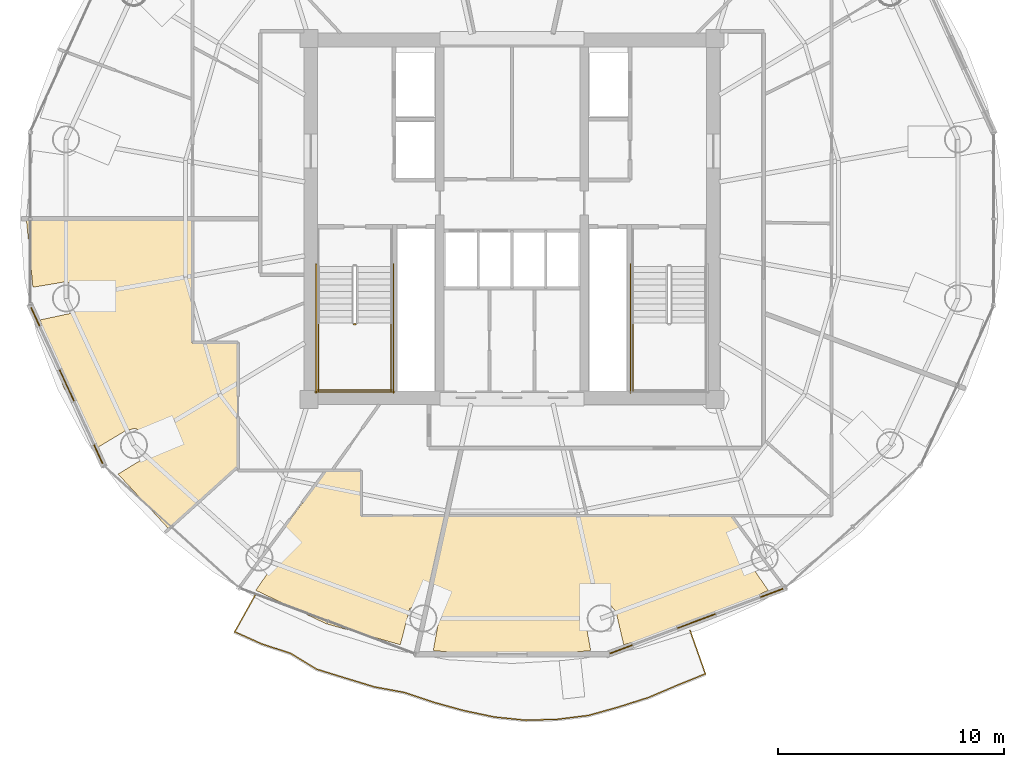
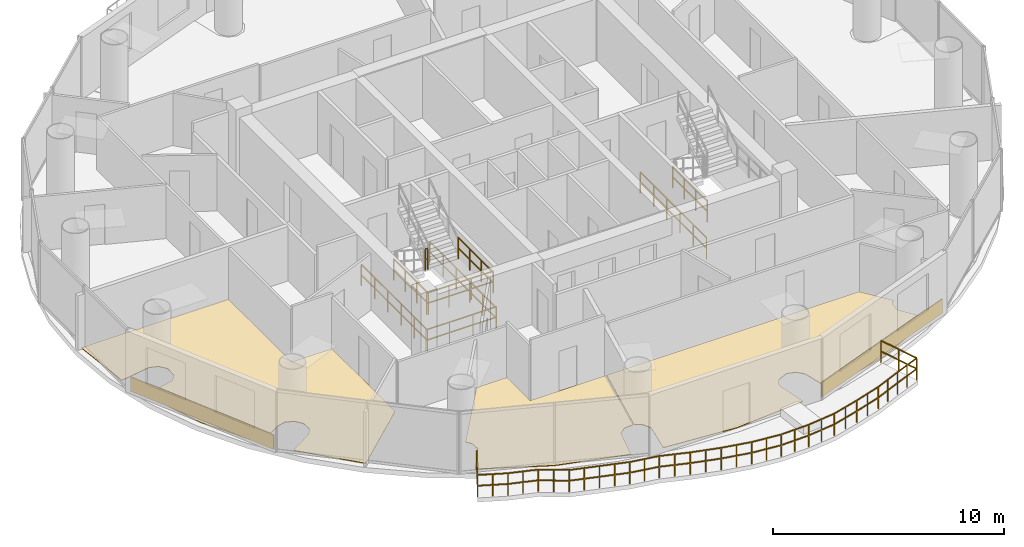
# One storey, part 24 of 26: 10 railings, 5 coverings.
"""IFC4 building model written with IfcOpenShell, lengths in metres."""

from ifc_helpers import new_model, si_unit, direction, frame, origin, origin_2d, place, context, subcontext, project, spatial, polyline, rectangle, outline, extrude, source, transform, mapped, material, layer, layer_set, type_object, element, save


model = new_model("IFC4")

# Units and contexts
model_context = context("Model", 3, precision=1e-05, world=origin(), true_north=direction((-0.2419218956, 0.970295726276)))
body_context = subcontext(model_context, "Body", "Model", "MODEL_VIEW")
ifc_project = project(units=[si_unit("LENGTHUNIT", "METRE"), si_unit("AREAUNIT", "SQUARE_METRE"), si_unit("VOLUMEUNIT", "CUBIC_METRE"), si_unit("PLANEANGLEUNIT", "RADIAN"), si_unit("MASSUNIT", "GRAM", prefix="KILO")], contexts=[model_context])

# Site, building, storey
site_placement = place(None, origin())
site = spatial("IfcSite", under=ifc_project, at=site_placement, CompositionType="ELEMENT")
building_placement = place(site_placement, origin())
building = spatial("IfcBuilding", under=site, at=building_placement, Name="Cobrevalo Terracotta Tower", CompositionType="ELEMENT")
storey_placement = place(building_placement, frame((0.0, 0.0, 239.300048828125)))
storey = spatial("IfcBuildingStorey", under=building, at=storey_placement, Name="L63", CompositionType="ELEMENT", Elevation=239.300048828125)

# Railing
ifc_material_1 = material(Name="Laminated structural glass and stainless steel", Category="steel")
railing_type_1 = type_object("IfcRailingType", Name="Balcony lobe structural glass & terracotta-cap balustrade 1180 mm", PredefinedType="BALUSTRADE", material=ifc_material_1)
railing_1_placement = place(storey_placement, frame((26.622802734375, 10.132568359375, 0.0)))
element("IfcRailing", 1, at=railing_1_placement, inside=storey, type_object=railing_type_1, Name="L63 spiralling balcony lobe balustrade 2", PredefinedType="BALUSTRADE", context=body_context, shape_type="SweptSolid", body=[
    extrude(rectangle(XDim=0.048095703125, YDim=0.048095703125, at=origin_2d()), frame((0.0, 0.0, 1.15576171875), z_axis=(-0.48718530542, -0.873298619135, 0.0), x_axis=(0.873298619135, -0.48718530542, 0.0)), (0.0, 0.0, 1.0), 1.8671875),
    extrude(rectangle(XDim=0.048095703125, YDim=0.048095703125, at=origin_2d()), frame((0.0, 0.0, 0.58984375), z_axis=(-0.48718530542, -0.873298619135, 0.0), x_axis=(0.873298619135, -0.48718530542, 0.0)), (0.0, 0.0, 1.0), 1.8671875),
    extrude(rectangle(XDim=0.048095703125, YDim=0.048095703125, at=origin_2d()), frame((-0.90966796875, -1.630615234375, 1.15576171875), z_axis=(0.913172173043, -0.407574020737, 0.0), x_axis=(0.407574020737, 0.913172173043, 0.0)), (0.0, 0.0, 1.0), 1.324951171875),
    extrude(rectangle(XDim=0.048095703125, YDim=0.048095703125, at=origin_2d()), frame((-0.90966796875, -1.630615234375, 0.58984375), z_axis=(0.913172173043, -0.407574020737, 0.0), x_axis=(0.407574020737, 0.913172173043, 0.0)), (0.0, 0.0, 1.0), 1.324951171875),
    extrude(rectangle(XDim=0.048095703125, YDim=0.048095703125, at=origin_2d()), frame((0.30029296875, -2.170654296875, 1.15576171875), z_axis=(0.95066058227, -0.310232908181, 0.0), x_axis=(0.310232908181, 0.95066058227, 0.0)), (0.0, 0.0, 1.0), 1.3330078125),
    extrude(rectangle(XDim=0.048095703125, YDim=0.048095703125, at=origin_2d()), frame((0.30029296875, -2.170654296875, 0.58984375), z_axis=(0.95066058227, -0.310232908181, 0.0), x_axis=(0.310232908181, 0.95066058227, 0.0)), (0.0, 0.0, 1.0), 1.3330078125),
    extrude(rectangle(XDim=0.048095703125, YDim=0.048095703125, at=origin_2d()), frame((1.567626953125, -2.584228515625, 1.15576171875), z_axis=(0.853841365729, -0.520533305534, 0.0), x_axis=(0.520533305534, 0.853841365729, 0.0)), (0.0, 0.0, 1.0), 1.346923828125),
    extrude(rectangle(XDim=0.048095703125, YDim=0.048095703125, at=origin_2d()), frame((1.567626953125, -2.584228515625, 0.58984375), z_axis=(0.853841365729, -0.520533305534, 0.0), x_axis=(0.520533305534, 0.853841365729, 0.0)), (0.0, 0.0, 1.0), 1.346923828125),
    extrude(rectangle(XDim=0.048095703125, YDim=0.048095703125, at=origin_2d()), frame((2.7177734375, -3.285400390625, 1.15576171875), z_axis=(0.955625446673, -0.294584462712, 0.0), x_axis=(0.294584462712, 0.955625446673, 0.0)), (0.0, 0.0, 1.0), 1.341796875),
    extrude(rectangle(XDim=0.048095703125, YDim=0.048095703125, at=origin_2d()), frame((2.7177734375, -3.285400390625, 0.58984375), z_axis=(0.955625446673, -0.294584462712, 0.0), x_axis=(0.294584462712, 0.955625446673, 0.0)), (0.0, 0.0, 1.0), 1.341796875),
    extrude(rectangle(XDim=0.048095703125, YDim=0.048095703125, at=origin_2d()), frame((4.0, -3.6806640625, 1.15576171875), z_axis=(0.956742206521, -0.290937021127, 0.0), x_axis=(0.290937021127, 0.956742206521, 0.0)), (0.0, 0.0, 1.0), 1.341064453125),
    extrude(rectangle(XDim=0.048095703125, YDim=0.048095703125, at=origin_2d()), frame((4.0, -3.6806640625, 0.58984375), z_axis=(0.956742206521, -0.290937021127, 0.0), x_axis=(0.290937021127, 0.956742206521, 0.0)), (0.0, 0.0, 1.0), 1.341064453125),
    extrude(rectangle(XDim=0.048095703125, YDim=0.048095703125, at=origin_2d()), frame((5.282958984375, -4.07080078125, 1.15576171875), z_axis=(0.983217066884, -0.182439577364, 0.0), x_axis=(0.182439577364, 0.983217066884, 0.0)), (0.0, 0.0, 1.0), 1.34765625),
    extrude(rectangle(XDim=0.048095703125, YDim=0.048095703125, at=origin_2d()), frame((5.282958984375, -4.07080078125, 0.58984375), z_axis=(0.983217066884, -0.182439577364, 0.0), x_axis=(0.182439577364, 0.983217066884, 0.0)), (0.0, 0.0, 1.0), 1.34765625),
    extrude(rectangle(XDim=0.048095703125, YDim=0.048095703125, at=origin_2d()), frame((6.60791015625, -4.316650390625, 1.15576171875), z_axis=(0.948362237432, -0.31718932298, 0.0), x_axis=(0.31718932298, 0.948362237432, 0.0)), (0.0, 0.0, 1.0), 1.370849609375),
    extrude(rectangle(XDim=0.048095703125, YDim=0.048095703125, at=origin_2d()), frame((6.60791015625, -4.316650390625, 0.58984375), z_axis=(0.948362237432, -0.31718932298, 0.0), x_axis=(0.31718932298, 0.948362237432, 0.0)), (0.0, 0.0, 1.0), 1.370849609375),
    extrude(rectangle(XDim=0.048095703125, YDim=0.048095703125, at=origin_2d()), frame((7.907958984375, -4.75146484375, 1.15576171875), z_axis=(0.963911423189, -0.266223154976, 0.0), x_axis=(0.266223154976, 0.963911423189, 0.0)), (0.0, 0.0, 1.0), 1.3828125),
    extrude(rectangle(XDim=0.048095703125, YDim=0.048095703125, at=origin_2d()), frame((7.907958984375, -4.75146484375, 0.58984375), z_axis=(0.963911423189, -0.266223154976, 0.0), x_axis=(0.266223154976, 0.963911423189, 0.0)), (0.0, 0.0, 1.0), 1.3828125),
    extrude(rectangle(XDim=0.048095703125, YDim=0.048095703125, at=origin_2d()), frame((9.240966796875, -5.11962890625, 1.15576171875), z_axis=(0.978749811082, -0.205058058382, 0.0), x_axis=(0.205058058382, 0.978749811082, 0.0)), (0.0, 0.0, 1.0), 1.395263671875),
    extrude(rectangle(XDim=0.048095703125, YDim=0.048095703125, at=origin_2d()), frame((9.240966796875, -5.11962890625, 0.58984375), z_axis=(0.978749811082, -0.205058058382, 0.0), x_axis=(0.205058058382, 0.978749811082, 0.0)), (0.0, 0.0, 1.0), 1.395263671875),
    extrude(rectangle(XDim=0.048095703125, YDim=0.048095703125, at=origin_2d()), frame((10.606689453125, -5.40576171875, 1.15576171875), z_axis=(0.994784174932, -0.102002182842, 0.0), x_axis=(0.102002182842, 0.994784174932, 0.0)), (0.0, 0.0, 1.0), 1.39306640625),
    extrude(rectangle(XDim=0.048095703125, YDim=0.048095703125, at=origin_2d()), frame((10.606689453125, -5.40576171875, 0.58984375), z_axis=(0.994784174932, -0.102002182842, 0.0), x_axis=(0.102002182842, 0.994784174932, 0.0)), (0.0, 0.0, 1.0), 1.39306640625),
    extrude(rectangle(XDim=0.048095703125, YDim=0.048095703125, at=origin_2d()), frame((11.992431640625, -5.5478515625, 1.15576171875), z_axis=(0.999545510344, 0.030145857931, 0.0), x_axis=(-0.030145857931, 0.999545510344, 0.0)), (0.0, 0.0, 1.0), 1.39306640625),
    extrude(rectangle(XDim=0.048095703125, YDim=0.048095703125, at=origin_2d()), frame((11.992431640625, -5.5478515625, 0.58984375), z_axis=(0.999545510344, 0.030145857931, 0.0), x_axis=(-0.030145857931, 0.999545510344, 0.0)), (0.0, 0.0, 1.0), 1.39306640625),
    extrude(rectangle(XDim=0.048095703125, YDim=0.048095703125, at=origin_2d()), frame((13.384765625, -5.505859375, 1.15576171875), z_axis=(0.992396277461, 0.123083827052, 0.0), x_axis=(-0.123083827052, 0.992396277461, 0.0)), (0.0, 0.0, 1.0), 1.390380859375),
    extrude(rectangle(XDim=0.048095703125, YDim=0.048095703125, at=origin_2d()), frame((13.384765625, -5.505859375, 0.58984375), z_axis=(0.992396277461, 0.123083827052, 0.0), x_axis=(-0.123083827052, 0.992396277461, 0.0)), (0.0, 0.0, 1.0), 1.390380859375),
    extrude(rectangle(XDim=0.048095703125, YDim=0.048095703125, at=origin_2d()), frame((14.7646484375, -5.334716796875, 1.15576171875), z_axis=(0.96301676607, 0.269441474662, 0.0), x_axis=(-0.269441474662, 0.96301676607, 0.0)), (0.0, 0.0, 1.0), 1.3935546875),
    extrude(rectangle(XDim=0.048095703125, YDim=0.048095703125, at=origin_2d()), frame((14.7646484375, -5.334716796875, 0.58984375), z_axis=(0.96301676607, 0.269441474662, 0.0), x_axis=(-0.269441474662, 0.96301676607, 0.0)), (0.0, 0.0, 1.0), 1.3935546875),
    extrude(rectangle(XDim=0.048095703125, YDim=0.048095703125, at=origin_2d()), frame((16.106689453125, -4.959228515625, 1.15576171875), z_axis=(0.95285156699, 0.303436799491, 0.0), x_axis=(-0.303436799491, 0.95285156699, 0.0)), (0.0, 0.0, 1.0), 1.383056640625),
    extrude(rectangle(XDim=0.048095703125, YDim=0.048095703125, at=origin_2d()), frame((16.106689453125, -4.959228515625, 0.58984375), z_axis=(0.95285156699, 0.303436799491, 0.0), x_axis=(-0.303436799491, 0.95285156699, 0.0)), (0.0, 0.0, 1.0), 1.383056640625),
    extrude(rectangle(XDim=0.048095703125, YDim=0.048095703125, at=origin_2d()), frame((17.424560546875, -4.53955078125, 1.15576171875), z_axis=(0.920025165465, 0.391859279476, 0.0), x_axis=(-0.391859279476, 0.920025165465, 0.0)), (0.0, 0.0, 1.0), 1.373779296875),
    extrude(rectangle(XDim=0.048095703125, YDim=0.048095703125, at=origin_2d()), frame((17.424560546875, -4.53955078125, 0.58984375), z_axis=(0.920025165465, 0.391859279476, 0.0), x_axis=(-0.391859279476, 0.920025165465, 0.0)), (0.0, 0.0, 1.0), 1.373779296875),
    extrude(rectangle(XDim=0.048095703125, YDim=0.048095703125, at=origin_2d()), frame((18.6884765625, -4.001220703125, 1.15576171875), z_axis=(0.926930427596, 0.375233237331, 0.0), x_axis=(-0.375233237331, 0.926930427596, 0.0)), (0.0, 0.0, 1.0), 1.357177734375),
    extrude(rectangle(XDim=0.048095703125, YDim=0.048095703125, at=origin_2d()), frame((18.6884765625, -4.001220703125, 0.58984375), z_axis=(0.926930427596, 0.375233237331, 0.0), x_axis=(-0.375233237331, 0.926930427596, 0.0)), (0.0, 0.0, 1.0), 1.357177734375),
    extrude(rectangle(XDim=0.048095703125, YDim=0.048095703125, at=origin_2d()), frame((19.946533203125, -3.491943359375, 1.15576171875), z_axis=(-0.333272877682, 0.942830413702, 0.0), x_axis=(-0.942830413702, -0.333272877682, 0.0)), (0.0, 0.0, 1.0), 2.03076171875),
    extrude(rectangle(XDim=0.048095703125, YDim=0.048095703125, at=origin_2d()), frame((19.946533203125, -3.491943359375, 0.58984375), z_axis=(-0.333272877682, 0.942830413702, 0.0), x_axis=(-0.942830413702, -0.333272877682, 0.0)), (0.0, 0.0, 1.0), 2.03076171875),
    extrude(rectangle(XDim=0.0419921875, YDim=0.0419921875, at=origin_2d()), origin(), (0.0, 0.0, 1.0), 1.1318359375),
    extrude(rectangle(XDim=0.0419921875, YDim=0.0419921875, at=origin_2d()), frame((-0.454833984375, -0.8154296875, 0.0)), (0.0, 0.0, 1.0), 1.1318359375),
    extrude(rectangle(XDim=0.0419921875, YDim=0.0419921875, at=origin_2d()), frame((-0.90966796875, -1.630615234375, 0.0)), (0.0, 0.0, 1.0), 1.1318359375),
    extrude(rectangle(XDim=0.0419921875, YDim=0.0419921875, at=origin_2d()), frame((-0.3046875, -1.900634765625, 0.0)), (0.0, 0.0, 1.0), 1.1318359375),
    extrude(rectangle(XDim=0.0419921875, YDim=0.0419921875, at=origin_2d()), frame((0.30029296875, -2.170654296875, 0.0)), (0.0, 0.0, 1.0), 1.1318359375),
    extrude(rectangle(XDim=0.0419921875, YDim=0.0419921875, at=origin_2d()), frame((0.93408203125, -2.37744140625, 0.0)), (0.0, 0.0, 1.0), 1.1318359375),
    extrude(rectangle(XDim=0.0419921875, YDim=0.0419921875, at=origin_2d()), frame((1.567626953125, -2.584228515625, 0.0)), (0.0, 0.0, 1.0), 1.1318359375),
    extrude(rectangle(XDim=0.0419921875, YDim=0.0419921875, at=origin_2d()), frame((2.142578125, -2.934814453125, 0.0)), (0.0, 0.0, 1.0), 1.1318359375),
    extrude(rectangle(XDim=0.0419921875, YDim=0.0419921875, at=origin_2d()), frame((2.7177734375, -3.285400390625, 0.0)), (0.0, 0.0, 1.0), 1.1318359375),
    extrude(rectangle(XDim=0.0419921875, YDim=0.0419921875, at=origin_2d()), frame((3.35888671875, -3.48291015625, 0.0)), (0.0, 0.0, 1.0), 1.1318359375),
    extrude(rectangle(XDim=0.0419921875, YDim=0.0419921875, at=origin_2d()), frame((4.0, -3.6806640625, 0.0)), (0.0, 0.0, 1.0), 1.1318359375),
    extrude(rectangle(XDim=0.0419921875, YDim=0.0419921875, at=origin_2d()), frame((4.6416015625, -3.875732421875, 0.0)), (0.0, 0.0, 1.0), 1.1318359375),
    extrude(rectangle(XDim=0.0419921875, YDim=0.0419921875, at=origin_2d()), frame((5.282958984375, -4.07080078125, 0.0)), (0.0, 0.0, 1.0), 1.1318359375),
    extrude(rectangle(XDim=0.0419921875, YDim=0.0419921875, at=origin_2d()), frame((5.9453125, -4.19384765625, 0.0)), (0.0, 0.0, 1.0), 1.1318359375),
    extrude(rectangle(XDim=0.0419921875, YDim=0.0419921875, at=origin_2d()), frame((6.60791015625, -4.316650390625, 0.0)), (0.0, 0.0, 1.0), 1.1318359375),
    extrude(rectangle(XDim=0.0419921875, YDim=0.0419921875, at=origin_2d()), frame((7.2578125, -4.5341796875, 0.0)), (0.0, 0.0, 1.0), 1.1318359375),
    extrude(rectangle(XDim=0.0419921875, YDim=0.0419921875, at=origin_2d()), frame((7.907958984375, -4.75146484375, 0.0)), (0.0, 0.0, 1.0), 1.1318359375),
    extrude(rectangle(XDim=0.0419921875, YDim=0.0419921875, at=origin_2d()), frame((8.574462890625, -4.935546875, 0.0)), (0.0, 0.0, 1.0), 1.1318359375),
    extrude(rectangle(XDim=0.0419921875, YDim=0.0419921875, at=origin_2d()), frame((9.240966796875, -5.11962890625, 0.0)), (0.0, 0.0, 1.0), 1.1318359375),
    extrude(rectangle(XDim=0.0419921875, YDim=0.0419921875, at=origin_2d()), frame((9.923828125, -5.2626953125, 0.0)), (0.0, 0.0, 1.0), 1.1318359375),
    extrude(rectangle(XDim=0.0419921875, YDim=0.0419921875, at=origin_2d()), frame((10.606689453125, -5.40576171875, 0.0)), (0.0, 0.0, 1.0), 1.1318359375),
    extrude(rectangle(XDim=0.0419921875, YDim=0.0419921875, at=origin_2d()), frame((11.299560546875, -5.476806640625, 0.0)), (0.0, 0.0, 1.0), 1.1318359375),
    extrude(rectangle(XDim=0.0419921875, YDim=0.0419921875, at=origin_2d()), frame((11.992431640625, -5.5478515625, 0.0)), (0.0, 0.0, 1.0), 1.1318359375),
    extrude(rectangle(XDim=0.0419921875, YDim=0.0419921875, at=origin_2d()), frame((12.6884765625, -5.52685546875, 0.0)), (0.0, 0.0, 1.0), 1.1318359375),
    extrude(rectangle(XDim=0.0419921875, YDim=0.0419921875, at=origin_2d()), frame((13.384765625, -5.505859375, 0.0)), (0.0, 0.0, 1.0), 1.1318359375),
    extrude(rectangle(XDim=0.0419921875, YDim=0.0419921875, at=origin_2d()), frame((14.07470703125, -5.42041015625, 0.0)), (0.0, 0.0, 1.0), 1.1318359375),
    extrude(rectangle(XDim=0.0419921875, YDim=0.0419921875, at=origin_2d()), frame((14.7646484375, -5.334716796875, 0.0)), (0.0, 0.0, 1.0), 1.1318359375),
    extrude(rectangle(XDim=0.0419921875, YDim=0.0419921875, at=origin_2d()), frame((15.435546875, -5.14697265625, 0.0)), (0.0, 0.0, 1.0), 1.1318359375),
    extrude(rectangle(XDim=0.0419921875, YDim=0.0419921875, at=origin_2d()), frame((16.106689453125, -4.959228515625, 0.0)), (0.0, 0.0, 1.0), 1.1318359375),
    extrude(rectangle(XDim=0.0419921875, YDim=0.0419921875, at=origin_2d()), frame((16.765625, -4.74951171875, 0.0)), (0.0, 0.0, 1.0), 1.1318359375),
    extrude(rectangle(XDim=0.0419921875, YDim=0.0419921875, at=origin_2d()), frame((17.424560546875, -4.53955078125, 0.0)), (0.0, 0.0, 1.0), 1.1318359375),
    extrude(rectangle(XDim=0.0419921875, YDim=0.0419921875, at=origin_2d()), frame((18.056640625, -4.2705078125, 0.0)), (0.0, 0.0, 1.0), 1.1318359375),
    extrude(rectangle(XDim=0.0419921875, YDim=0.0419921875, at=origin_2d()), frame((18.6884765625, -4.001220703125, 0.0)), (0.0, 0.0, 1.0), 1.1318359375),
    extrude(rectangle(XDim=0.0419921875, YDim=0.0419921875, at=origin_2d()), frame((19.3173828125, -3.74658203125, 0.0)), (0.0, 0.0, 1.0), 1.1318359375),
    extrude(rectangle(XDim=0.0419921875, YDim=0.0419921875, at=origin_2d()), frame((19.946533203125, -3.491943359375, 0.0)), (0.0, 0.0, 1.0), 1.1318359375),
    extrude(rectangle(XDim=0.0419921875, YDim=0.0419921875, at=origin_2d()), frame((19.608154296875, -2.53466796875, 0.0)), (0.0, 0.0, 1.0), 1.1318359375),
    extrude(rectangle(XDim=0.0419921875, YDim=0.0419921875, at=origin_2d()), frame((19.269775390625, -1.577392578125, 0.0)), (0.0, 0.0, 1.0), 1.1318359375),
])

# Coverings
ifc_material_2 = material(Name="Engineered Brazilian hardwood flooring", Category="wood")
ifc_layer_1 = layer(ifc_material_2, 0.028076171875)
ifc_layer_set_1 = layer_set([ifc_layer_1], Name="Engineered Brazilian hardwood flooring")
covering_type_1 = type_object("IfcCoveringType", Name="Engineered Hardwood Suite Flooring 28", PredefinedType="FLOORING", material=ifc_layer_set_1)
covering_1_placement = place(storey_placement, origin())
element("IfcCovering", 2, at=covering_1_placement, inside=storey, type_object=covering_type_1, Name="Flat L63C Penthouse Living and Dining Room floor finish", PredefinedType="FLOORING", context=body_context, shape_type="SweptSolid", body=[
    extrude(outline(polyline([(22.779052734375, 13.072265625), (20.546875, 15.4912109375), (21.74267578125, 16.223388671875), (21.963623046875, 16.591796875), (21.94287109375, 17.020751953125), (21.68701171875, 17.3662109375), (21.28271484375, 17.51123046875), (20.86669921875, 17.407470703125), (19.662109375, 16.6865234375), (19.36279296875, 17.0908203125), (18.117919921875, 19.368896484375), (17.09228515625, 22.322998046875), (18.635986328125, 22.655029296875), (18.9150390625, 22.981689453125), (18.926513671875, 23.548095703125), (18.66064453125, 23.8857421875), (18.251953125, 24.0185546875), (16.7734375, 23.76953125), (16.4814453125, 26.780029296875), (23.824951171875, 26.780029296875), (23.824951171875, 21.300048828125), (25.8349609375, 21.300048828125), (25.8349609375, 15.833740234375), (22.779052734375, 13.072265625)])), origin(), (0.0, 0.0, 1.0), 0.030029296875),
])
covering_2_placement = place(storey_placement, origin())
element("IfcCovering", 3, at=covering_2_placement, inside=storey, type_object=covering_type_1, Name="Flat L63C Penthouse Family Lounge floor finish", PredefinedType="FLOORING", context=body_context, shape_type="SweptSolid", body=[
    extrude(outline(polyline([(26.6455078125, 10.34033203125), (27.522705078125, 11.610107421875), (27.502685546875, 12.039306640625), (27.318603515625, 12.320556640625), (29.76953125, 15.635009765625), (31.300048828125, 15.635009765625), (31.300048828125, 13.625), (35.07958984375, 13.625), (34.240234375, 9.812255859375), (33.801025390625, 9.78662109375), (33.462890625, 9.521484375), (33.0517578125, 7.93017578125), (29.763916015625, 8.858642578125), (26.6455078125, 10.34033203125)])), origin(), (0.0, 0.0, 1.0), 0.030029296875),
])
covering_3_placement = place(storey_placement, origin())
element("IfcCovering", 4, at=covering_3_placement, inside=storey, type_object=covering_type_1, Name="Flat L63D Living and Dining Room floor finish", PredefinedType="FLOORING", context=body_context, shape_type="SweptSolid", body=[
    extrude(outline(polyline([(46.236083984375, 8.858642578125), (42.9482421875, 7.93017578125), (42.6083984375, 9.39501953125), (42.32861328125, 9.72119140625), (41.91455078125, 9.836669921875), (41.396240234375, 9.6083984375), (41.2021484375, 9.22509765625), (41.490234375, 7.66845703125), (38.0, 7.380126953125), (34.509765625, 7.66845703125), (34.7978515625, 9.22509765625), (34.603759765625, 9.6083984375), (34.279052734375, 9.802978515625), (35.120361328125, 13.625), (47.716796875, 13.625), (48.681396484375, 12.320556640625), (48.497314453125, 12.039306640625), (48.477294921875, 11.610107421875), (49.3544921875, 10.34033203125), (46.236083984375, 8.858642578125)])), origin(), (0.0, 0.0, 1.0), 0.030029296875),
])

# Railings
ifc_material_3 = material(Name="Painted galvanized steel", Category="steel")
railing_type_2 = type_object("IfcRailingType", Name="Stair Well Guard Balustrade 1150", PredefinedType="GUARDRAIL", material=ifc_material_3)
railing_2_placement = place(storey_placement, frame((30.97509765625, 22.1298828125, 1.849853515625)))
element("IfcRailing", 5, at=railing_2_placement, inside=storey, type_object=railing_type_2, Name="L63 ST-1 stair guard 2", PredefinedType="GUARDRAIL", context=body_context, shape_type="SweptSolid", body=[
    extrude(rectangle(XDim=0.048095703125, YDim=0.048095703125, at=origin_2d()), frame((0.0, 0.0, 1.1259765625), z_axis=(1.0, 0.0, 0.0), x_axis=(0.0, 1.0, 0.0)), (0.0, 0.0, 1.0), 0.119873046875),
    extrude(rectangle(XDim=0.048095703125, YDim=0.048095703125, at=origin_2d()), frame((0.0, 0.0, 0.574951171875), z_axis=(1.0, 0.0, 0.0), x_axis=(0.0, 1.0, 0.0)), (0.0, 0.0, 1.0), 0.119873046875),
    extrude(rectangle(XDim=0.0419921875, YDim=0.0419921875, at=origin_2d()), origin(), (0.0, 0.0, 1.0), 1.101806640625),
    extrude(rectangle(XDim=0.0419921875, YDim=0.0419921875, at=origin_2d()), frame((0.119873046875, 0.0, 0.0)), (0.0, 0.0, 1.0), 1.101806640625),
])
for number, where, name in (
    (6, (29.425048828125, 22.179931640625, 1.849853515625), "L63 ST-1 stair guard 3"),
    (7, (32.64501953125, 22.179931640625, 1.849853515625), "L63 ST-1 stair guard 4"),
):
    element("IfcRailing", number, at=place(storey_placement, frame(where)), inside=storey, type_object=railing_type_2, Name=name, PredefinedType="GUARDRAIL", context=body_context, shape_type="SweptSolid", body=[
        extrude(rectangle(XDim=0.048095703125, YDim=0.048095703125, at=origin_2d()), frame((0.0, 0.0, 1.1259765625), z_axis=(0.0, -1.0, 0.0), x_axis=(1.0, 0.0, 0.0)), (0.0, 0.0, 1.0), 3.0048828125),
        extrude(rectangle(XDim=0.048095703125, YDim=0.048095703125, at=origin_2d()), frame((0.0, 0.0, 0.574951171875), z_axis=(0.0, -1.0, 0.0), x_axis=(1.0, 0.0, 0.0)), (0.0, 0.0, 1.0), 3.0048828125),
        extrude(rectangle(XDim=0.0419921875, YDim=0.0419921875, at=origin_2d()), origin(), (0.0, 0.0, 1.0), 1.101806640625),
        extrude(rectangle(XDim=0.0419921875, YDim=0.0419921875, at=origin_2d()), frame((0.0, -1.001708984375, 0.0)), (0.0, 0.0, 1.0), 1.101806640625),
        extrude(rectangle(XDim=0.0419921875, YDim=0.0419921875, at=origin_2d()), frame((0.0, -2.003173828125, 0.0)), (0.0, 0.0, 1.0), 1.101806640625),
        extrude(rectangle(XDim=0.0419921875, YDim=0.0419921875, at=origin_2d()), frame((0.0, -3.0048828125, 0.0)), (0.0, 0.0, 1.0), 1.101806640625),
    ])
railing_3_placement = place(storey_placement, frame((29.375, 19.22509765625, 1.849853515625)))
element("IfcRailing", 8, at=railing_3_placement, inside=storey, type_object=railing_type_2, Name="L63 ST-1 stair guard 5", PredefinedType="GUARDRAIL", context=body_context, shape_type="SweptSolid", body=[
    extrude(rectangle(XDim=0.048095703125, YDim=0.048095703125, at=origin_2d()), frame((0.0, 0.0, 1.1259765625), z_axis=(1.0, 0.0, 0.0), x_axis=(0.0, 1.0, 0.0)), (0.0, 0.0, 1.0), 3.320068359375),
    extrude(rectangle(XDim=0.048095703125, YDim=0.048095703125, at=origin_2d()), frame((0.0, 0.0, 0.574951171875), z_axis=(1.0, 0.0, 0.0), x_axis=(0.0, 1.0, 0.0)), (0.0, 0.0, 1.0), 3.320068359375),
    extrude(rectangle(XDim=0.0419921875, YDim=0.0419921875, at=origin_2d()), origin(), (0.0, 0.0, 1.0), 1.101806640625),
    extrude(rectangle(XDim=0.0419921875, YDim=0.0419921875, at=origin_2d()), frame((1.106689453125, 0.0, 0.0)), (0.0, 0.0, 1.0), 1.101806640625),
    extrude(rectangle(XDim=0.0419921875, YDim=0.0419921875, at=origin_2d()), frame((2.21337890625, 0.0, 0.0)), (0.0, 0.0, 1.0), 1.101806640625),
    extrude(rectangle(XDim=0.0419921875, YDim=0.0419921875, at=origin_2d()), frame((3.320068359375, 0.0, 0.0)), (0.0, 0.0, 1.0), 1.101806640625),
])
for number, where, name in (
    (9, (29.324951171875, 24.800048828125, 0.0), "L63 ST-1 stair guard 10"),
    (10, (32.7451171875, 24.800048828125, 0.0), "L63 ST-1 stair guard 11"),
):
    element("IfcRailing", number, at=place(storey_placement, frame(where)), inside=storey, type_object=railing_type_2, Name=name, PredefinedType="GUARDRAIL", context=body_context, shape_type="SweptSolid", body=[
        extrude(rectangle(XDim=0.048095703125, YDim=0.048095703125, at=origin_2d()), frame((0.0, 0.0, 1.1259765625), z_axis=(0.0, -1.0, 0.0), x_axis=(1.0, 0.0, 0.0)), (0.0, 0.0, 1.0), 5.72509765625),
        extrude(rectangle(XDim=0.048095703125, YDim=0.048095703125, at=origin_2d()), frame((0.0, 0.0, 0.574951171875), z_axis=(0.0, -1.0, 0.0), x_axis=(1.0, 0.0, 0.0)), (0.0, 0.0, 1.0), 5.72509765625),
        extrude(rectangle(XDim=0.0419921875, YDim=0.0419921875, at=origin_2d()), origin(), (0.0, 0.0, 1.0), 1.101806640625),
        extrude(rectangle(XDim=0.0419921875, YDim=0.0419921875, at=origin_2d()), frame((0.0, -1.14501953125, 0.0)), (0.0, 0.0, 1.0), 1.101806640625),
        extrude(rectangle(XDim=0.0419921875, YDim=0.0419921875, at=origin_2d()), frame((0.0, -2.2900390625, 0.0)), (0.0, 0.0, 1.0), 1.101806640625),
        extrude(rectangle(XDim=0.0419921875, YDim=0.0419921875, at=origin_2d()), frame((0.0, -3.43505859375, 0.0)), (0.0, 0.0, 1.0), 1.101806640625),
        extrude(rectangle(XDim=0.0419921875, YDim=0.0419921875, at=origin_2d()), frame((0.0, -4.580078125, 0.0)), (0.0, 0.0, 1.0), 1.101806640625),
        extrude(rectangle(XDim=0.0419921875, YDim=0.0419921875, at=origin_2d()), frame((0.0, -5.72509765625, 0.0)), (0.0, 0.0, 1.0), 1.101806640625),
    ])
railing_4_placement = place(storey_placement, frame((29.27490234375, 19.125, 0.0)))
element("IfcRailing", 11, at=railing_4_placement, inside=storey, type_object=railing_type_2, Name="L63 ST-1 stair guard 12", PredefinedType="GUARDRAIL", context=body_context, shape_type="SweptSolid", body=[
    extrude(rectangle(XDim=0.048095703125, YDim=0.048095703125, at=origin_2d()), frame((0.0, 0.0, 1.1259765625), z_axis=(1.0, 0.0, 0.0), x_axis=(0.0, 1.0, 0.0)), (0.0, 0.0, 1.0), 3.52001953125),
    extrude(rectangle(XDim=0.048095703125, YDim=0.048095703125, at=origin_2d()), frame((0.0, 0.0, 0.574951171875), z_axis=(1.0, 0.0, 0.0), x_axis=(0.0, 1.0, 0.0)), (0.0, 0.0, 1.0), 3.52001953125),
    extrude(rectangle(XDim=0.0419921875, YDim=0.0419921875, at=origin_2d()), origin(), (0.0, 0.0, 1.0), 1.101806640625),
    extrude(rectangle(XDim=0.0419921875, YDim=0.0419921875, at=origin_2d()), frame((1.17333984375, 0.0, 0.0)), (0.0, 0.0, 1.0), 1.101806640625),
    extrude(rectangle(XDim=0.0419921875, YDim=0.0419921875, at=origin_2d()), frame((2.3466796875, 0.0, 0.0)), (0.0, 0.0, 1.0), 1.101806640625),
    extrude(rectangle(XDim=0.0419921875, YDim=0.0419921875, at=origin_2d()), frame((3.52001953125, 0.0, 0.0)), (0.0, 0.0, 1.0), 1.101806640625),
])
railing_5_placement = place(storey_placement, frame((43.35498046875, 22.179931640625, 1.849853515625)))
element("IfcRailing", 12, at=railing_5_placement, inside=storey, type_object=railing_type_2, Name="L63 ST-2 stair guard 3", PredefinedType="GUARDRAIL", context=body_context, shape_type="SweptSolid", body=[
    extrude(rectangle(XDim=0.048095703125, YDim=0.048095703125, at=origin_2d()), frame((0.0, 0.0, 1.1259765625), z_axis=(0.0, -1.0, 0.0), x_axis=(1.0, 0.0, 0.0)), (0.0, 0.0, 1.0), 3.0048828125),
    extrude(rectangle(XDim=0.048095703125, YDim=0.048095703125, at=origin_2d()), frame((0.0, 0.0, 0.574951171875), z_axis=(0.0, -1.0, 0.0), x_axis=(1.0, 0.0, 0.0)), (0.0, 0.0, 1.0), 3.0048828125),
    extrude(rectangle(XDim=0.0419921875, YDim=0.0419921875, at=origin_2d()), origin(), (0.0, 0.0, 1.0), 1.101806640625),
    extrude(rectangle(XDim=0.0419921875, YDim=0.0419921875, at=origin_2d()), frame((0.0, -1.001708984375, 0.0)), (0.0, 0.0, 1.0), 1.101806640625),
    extrude(rectangle(XDim=0.0419921875, YDim=0.0419921875, at=origin_2d()), frame((0.0, -2.003173828125, 0.0)), (0.0, 0.0, 1.0), 1.101806640625),
    extrude(rectangle(XDim=0.0419921875, YDim=0.0419921875, at=origin_2d()), frame((0.0, -3.0048828125, 0.0)), (0.0, 0.0, 1.0), 1.101806640625),
])
railing_6_placement = place(storey_placement, frame((43.2548828125, 24.800048828125, 0.0)))
element("IfcRailing", 13, at=railing_6_placement, inside=storey, type_object=railing_type_2, Name="L63 ST-2 stair guard 10", PredefinedType="GUARDRAIL", context=body_context, shape_type="SweptSolid", body=[
    extrude(rectangle(XDim=0.048095703125, YDim=0.048095703125, at=origin_2d()), frame((0.0, 0.0, 1.1259765625), z_axis=(0.0, -1.0, 0.0), x_axis=(1.0, 0.0, 0.0)), (0.0, 0.0, 1.0), 5.72509765625),
    extrude(rectangle(XDim=0.048095703125, YDim=0.048095703125, at=origin_2d()), frame((0.0, 0.0, 0.574951171875), z_axis=(0.0, -1.0, 0.0), x_axis=(1.0, 0.0, 0.0)), (0.0, 0.0, 1.0), 5.72509765625),
    extrude(rectangle(XDim=0.0419921875, YDim=0.0419921875, at=origin_2d()), origin(), (0.0, 0.0, 1.0), 1.101806640625),
    extrude(rectangle(XDim=0.0419921875, YDim=0.0419921875, at=origin_2d()), frame((0.0, -1.14501953125, 0.0)), (0.0, 0.0, 1.0), 1.101806640625),
    extrude(rectangle(XDim=0.0419921875, YDim=0.0419921875, at=origin_2d()), frame((0.0, -2.2900390625, 0.0)), (0.0, 0.0, 1.0), 1.101806640625),
    extrude(rectangle(XDim=0.0419921875, YDim=0.0419921875, at=origin_2d()), frame((0.0, -3.43505859375, 0.0)), (0.0, 0.0, 1.0), 1.101806640625),
    extrude(rectangle(XDim=0.0419921875, YDim=0.0419921875, at=origin_2d()), frame((0.0, -4.580078125, 0.0)), (0.0, 0.0, 1.0), 1.101806640625),
    extrude(rectangle(XDim=0.0419921875, YDim=0.0419921875, at=origin_2d()), frame((0.0, -5.72509765625, 0.0)), (0.0, 0.0, 1.0), 1.101806640625),
])

# Coverings
ifc_material_4 = material(Name="Glazed terracotta facade cladding tile", Category="masonry")
ifc_layer_2 = layer(ifc_material_4, 0.044921875)
ifc_layer_set_2 = layer_set([ifc_layer_2], Name="Glazed terracotta facade cladding tile")
covering_type_2 = type_object("IfcCoveringType", Name="Architectural terracotta rainscreen spandrel cladding 45 mm", PredefinedType="CLADDING", material=ifc_layer_set_2)
shared_shape_1 = source(origin(), body_context, "Body", "SweptSolid", [
    extrude(rectangle(XDim=7.60009765625, YDim=0.044921875, at=origin_2d()), origin(), (0.0, 0.0, 1.0), 0.760009765625),
])
covering_4_placement = place(storey_placement, frame((18.273681640625, 19.417236328125, 0.0400390625), z_axis=(0.0, 0.0, 1.0), x_axis=(0.416731425355, -0.909029657999, 0.0)))
element("IfcCovering", 14, at=covering_4_placement, inside=storey, type_object=covering_type_2, Name="L63 terracotta spandrel cladding S09", PredefinedType="CLADDING", context=body_context, shape_type="MappedRepresentation", body=[
    mapped(shared_shape_1, transform((0.0, 0.0, 0.0), scale=1.0)),
])
shared_shape_2 = source(origin(), body_context, "Body", "SweptSolid", [
    extrude(rectangle(XDim=8.17919921875, YDim=0.044921875, at=origin_2d()), origin(), (0.0, 0.0, 1.0), 0.760009765625),
])
covering_5_placement = place(storey_placement, frame((46.1708984375, 8.9765625, 0.0400390625), z_axis=(0.0, 0.0, 1.0), x_axis=(0.936557839879, 0.350513070458, 0.0)))
element("IfcCovering", 15, at=covering_5_placement, inside=storey, type_object=covering_type_2, Name="L63 terracotta spandrel cladding S13", PredefinedType="CLADDING", context=body_context, shape_type="MappedRepresentation", body=[
    mapped(shared_shape_2, transform((0.0, 0.0, 0.0), scale=1.0)),
])

save(model, "model.ifc")
